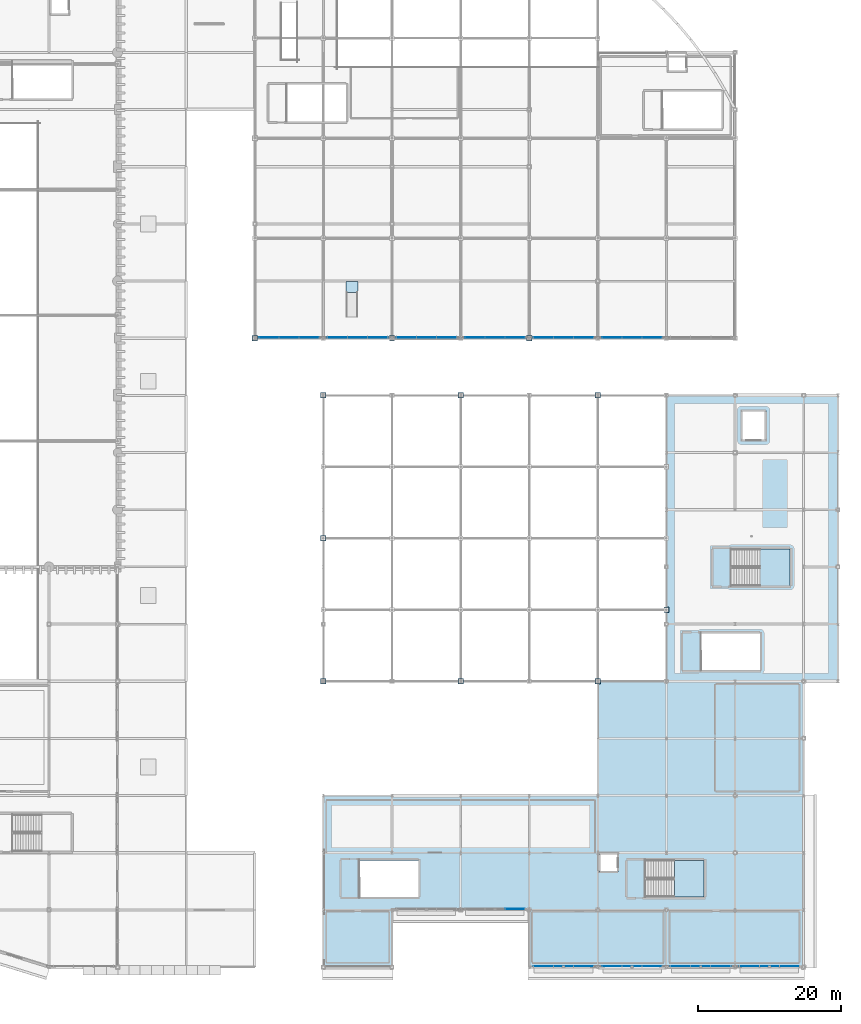
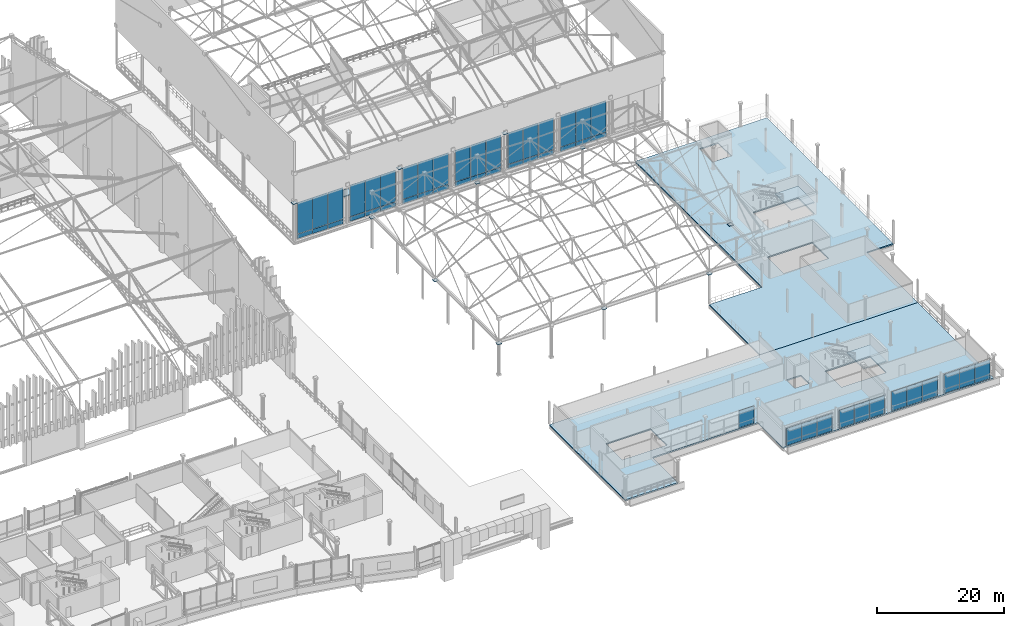
# One storey, part 147 of 193: 60 plates, 5 slabs, 13 elements without a shape of their own.
"""IFC4 building model written with IfcOpenShell, lengths in metres."""

from ifc_helpers import new_model, si_unit, direction, frame, origin, origin_2d, place, context, subcontext, project, spatial, polyline, rectangle, outline, extrude, material, layer, layer_set, type_object, element, aggregate, save


model = new_model("IFC4")

# Units and contexts
model_context = context("Model", 3, precision=1e-05, world=origin(), true_north=direction((0.0, 1.0)))
body_context = subcontext(model_context, "Body", "Model", "MODEL_VIEW")
ifc_project = project(units=[si_unit("LENGTHUNIT", "METRE"), si_unit("AREAUNIT", "SQUARE_METRE"), si_unit("VOLUMEUNIT", "CUBIC_METRE"), si_unit("PLANEANGLEUNIT", "RADIAN"), si_unit("MASSUNIT", "GRAM", prefix="KILO")], contexts=[model_context])

# Site, building, storey
site_placement = place(None, origin())
site = spatial("IfcSite", under=ifc_project, at=site_placement, CompositionType="ELEMENT")
building_placement = place(site_placement, origin())
building = spatial("IfcBuilding", under=site, at=building_placement, Name="Danafjord Basin Convention Centre", CompositionType="ELEMENT")
storey_placement = place(building_placement, frame((0.0, 0.0, 11.39990234375)))
storey = spatial("IfcBuildingStorey", under=building, at=storey_placement, Name="L02", CompositionType="ELEMENT", Elevation=11.39990234375)

# Plates
ifc_material_1 = material(Name="Steel S355", Category="steel")
ifc_layer_1 = layer(ifc_material_1, 0.06494140625)
ifc_layer_set_1 = layer_set([ifc_layer_1], Name="Steel S355")
plate_type_1 = type_object("IfcPlateType", Name="PLT-BP-65", PredefinedType="SHEET", material=ifc_layer_set_1)
for number, where, z_axis, x_axis, name in (
    (1, (134.39990234375, 88.0, 7.267578125), (0.0, 0.0, 1.0), (1.0, 0.0, 0.0), "V2 space-frame ring bearing plate"),
    (2, (153.60009765625, 88.0, 7.267578125), (0.0, 0.0, 1.0), (1.0, 0.0, 0.0), "V2 space-frame ring bearing plate"),
    (3, (172.800048828125, 88.0, 7.267578125), (0.0, 0.0, 1.0), (1.0, 0.0, 0.0), "V2 space-frame ring bearing plate"),
    (4, (144.0, 40.0, 5.967529296875), (0.0, 0.0, 1.0), (1.0, 0.0, 0.0), "V3 space-frame ring bearing plate"),
    (5, (144.0, 60.0, 5.967529296875), (0.0, 0.0, 1.0), (1.0, 0.0, 0.0), "V3 space-frame ring bearing plate"),
    (6, (144.0, 80.0, 5.967529296875), (0.0, 0.0, 1.0), (1.0, 0.0, 0.0), "V3 space-frame ring bearing plate"),
    (7, (163.199951171875, 40.0, 5.967529296875), (0.0, 0.0, 1.0), (1.0, 0.0, 0.0), "V3 space-frame ring bearing plate"),
    (8, (163.199951171875, 80.0, 5.967529296875), (0.0, 0.0, 1.0), (1.0, 0.0, 0.0), "V3 space-frame ring bearing plate"),
    (9, (182.39990234375, 40.0, 5.967529296875), (0.0, 0.0, 1.0), (1.0, 0.0, 0.0), "V3 space-frame ring bearing plate"),
    (10, (182.39990234375, 80.0, 5.967529296875), (0.0, 0.0, 1.0), (1.0, 0.0, 0.0), "V3 space-frame ring bearing plate"),
    (11, (192.0, 50.0, 5.967529296875), (0.0, 0.0, 1.0), (1.0, 0.0, 0.0), "V3 space-frame ring bearing plate"),
):
    element("IfcPlate", number, at=place(storey_placement, frame(where, z_axis=z_axis, x_axis=x_axis)), inside=storey, type_object=plate_type_1, Name=name, PredefinedType="SHEET", context=body_context, shape_type="SweptSolid", body=[
        extrude(rectangle(XDim=0.75, YDim=0.75, at=origin_2d()), origin(), (0.0, 0.0, 1.0), 0.06494140625),
    ])

# Curtain wall, plates
ifc_material_2 = material(Name="Anodised aluminium and triple glazing", Category="aluminium")
curtain_wall_type_1 = type_object("IfcCurtainWallType", Name="CW-CW-DRUM", PredefinedType="NOTDEFINED", material=ifc_material_2)
curtain_wall_1_placement = place(storey_placement, origin())
curtain_wall_1 = element("IfcCurtainWall", 12, at=curtain_wall_1_placement, inside=storey, type_object=curtain_wall_type_1, Name="L02 CW-DRUM unitised curtain wall bay 122", PredefinedType="NOTDEFINED")
ifc_material_3 = material(Name="Triple low-E insulated glazing", Category="glass")
ifc_layer_2 = layer(ifc_material_3, 0.0380859375)
ifc_layer_set_2 = layer_set([ifc_layer_2], Name="Triple low-E insulated glazing")
plate_type_2 = type_object("IfcPlateType", Name="PLT-GP-38", PredefinedType="CURTAIN_PANEL", material=ifc_layer_set_2)
plate_1_placement = place(storey_placement, frame((136.39990234375, 88.1201171875, 0.97802734375), z_axis=(0.0, 0.0, 1.0), x_axis=(1.0, 0.0, 0.0)))
plate_1 = element("IfcPlate", 13, at=plate_1_placement, type_object=plate_type_2, Name="CW-L02-122 vision glazing unit 1", PredefinedType="CURTAIN_PANEL", context=body_context, shape_type="SweptSolid", body=[
    extrude(rectangle(XDim=2.743896484375, YDim=0.0380859375, at=origin_2d()), origin(), (0.0, 0.0, 1.0), 6.083984375),
])
plate_2_placement = place(storey_placement, frame((139.199951171875, 88.1201171875, 0.97802734375), z_axis=(0.0, 0.0, 1.0), x_axis=(1.0, 0.0, 0.0)))
plate_2 = element("IfcPlate", 14, at=plate_2_placement, type_object=plate_type_2, Name="CW-L02-122 vision glazing unit 2", PredefinedType="CURTAIN_PANEL", context=body_context, shape_type="SweptSolid", body=[
    extrude(rectangle(XDim=2.743896484375, YDim=0.0380859375, at=origin_2d()), origin(), (0.0, 0.0, 1.0), 6.083984375),
])
plate_3_placement = place(storey_placement, frame((142.0, 88.1201171875, 0.97802734375), z_axis=(0.0, 0.0, 1.0), x_axis=(1.0, 0.0, 0.0)))
plate_3 = element("IfcPlate", 15, at=plate_3_placement, type_object=plate_type_2, Name="CW-L02-122 vision glazing unit 3", PredefinedType="CURTAIN_PANEL", context=body_context, shape_type="SweptSolid", body=[
    extrude(rectangle(XDim=2.743896484375, YDim=0.0380859375, at=origin_2d()), origin(), (0.0, 0.0, 1.0), 6.083984375),
])

curtain_wall_2_placement = place(storey_placement, origin())
curtain_wall_2 = element("IfcCurtainWall", 16, at=curtain_wall_2_placement, inside=storey, type_object=curtain_wall_type_1, Name="L02 CW-DRUM unitised curtain wall bay 124", PredefinedType="NOTDEFINED")
plate_4_placement = place(storey_placement, frame((155.60009765625, 88.1201171875, 0.97802734375), z_axis=(0.0, 0.0, 1.0), x_axis=(1.0, 0.0, 0.0)))
plate_4 = element("IfcPlate", 17, at=plate_4_placement, type_object=plate_type_2, Name="CW-L02-124 vision glazing unit 1", PredefinedType="CURTAIN_PANEL", context=body_context, shape_type="SweptSolid", body=[
    extrude(rectangle(XDim=2.743896484375, YDim=0.0380859375, at=origin_2d()), origin(), (0.0, 0.0, 1.0), 6.083984375),
])
plate_5_placement = place(storey_placement, frame((158.39990234375, 88.1201171875, 0.97802734375), z_axis=(0.0, 0.0, 1.0), x_axis=(1.0, 0.0, 0.0)))
plate_5 = element("IfcPlate", 18, at=plate_5_placement, type_object=plate_type_2, Name="CW-L02-124 vision glazing unit 2", PredefinedType="CURTAIN_PANEL", context=body_context, shape_type="SweptSolid", body=[
    extrude(rectangle(XDim=2.743896484375, YDim=0.0380859375, at=origin_2d()), origin(), (0.0, 0.0, 1.0), 6.083984375),
])
plate_6_placement = place(storey_placement, frame((161.199951171875, 88.1201171875, 0.97802734375), z_axis=(0.0, 0.0, 1.0), x_axis=(1.0, 0.0, 0.0)))
plate_6 = element("IfcPlate", 19, at=plate_6_placement, type_object=plate_type_2, Name="CW-L02-124 vision glazing unit 3", PredefinedType="CURTAIN_PANEL", context=body_context, shape_type="SweptSolid", body=[
    extrude(rectangle(XDim=2.743896484375, YDim=0.0380859375, at=origin_2d()), origin(), (0.0, 0.0, 1.0), 6.083984375),
])

curtain_wall_3_placement = place(storey_placement, origin())
curtain_wall_3 = element("IfcCurtainWall", 20, at=curtain_wall_3_placement, inside=storey, type_object=curtain_wall_type_1, Name="L02 CW-DRUM unitised curtain wall bay 126", PredefinedType="NOTDEFINED")
plate_7_placement = place(storey_placement, frame((174.800048828125, 88.1201171875, 0.97802734375), z_axis=(0.0, 0.0, 1.0), x_axis=(1.0, 0.0, 0.0)))
plate_7 = element("IfcPlate", 21, at=plate_7_placement, type_object=plate_type_2, Name="CW-L02-126 vision glazing unit 1", PredefinedType="CURTAIN_PANEL", context=body_context, shape_type="SweptSolid", body=[
    extrude(rectangle(XDim=2.743896484375, YDim=0.0380859375, at=origin_2d()), origin(), (0.0, 0.0, 1.0), 6.083984375),
])
plate_8_placement = place(storey_placement, frame((177.60009765625, 88.1201171875, 0.97802734375), z_axis=(0.0, 0.0, 1.0), x_axis=(1.0, 0.0, 0.0)))
plate_8 = element("IfcPlate", 22, at=plate_8_placement, type_object=plate_type_2, Name="CW-L02-126 vision glazing unit 2", PredefinedType="CURTAIN_PANEL", context=body_context, shape_type="SweptSolid", body=[
    extrude(rectangle(XDim=2.743896484375, YDim=0.0380859375, at=origin_2d()), origin(), (0.0, 0.0, 1.0), 6.083984375),
])
plate_9_placement = place(storey_placement, frame((180.39990234375, 88.1201171875, 0.97802734375), z_axis=(0.0, 0.0, 1.0), x_axis=(1.0, 0.0, 0.0)))
plate_9 = element("IfcPlate", 23, at=plate_9_placement, type_object=plate_type_2, Name="CW-L02-126 vision glazing unit 3", PredefinedType="CURTAIN_PANEL", context=body_context, shape_type="SweptSolid", body=[
    extrude(rectangle(XDim=2.743896484375, YDim=0.0380859375, at=origin_2d()), origin(), (0.0, 0.0, 1.0), 6.083984375),
])

curtain_wall_type_2 = type_object("IfcCurtainWallType", Name="CW-CW-HARB", PredefinedType="NOTDEFINED", material=ifc_material_2)
curtain_wall_4_placement = place(storey_placement, origin())
curtain_wall_4 = element("IfcCurtainWall", 24, at=curtain_wall_4_placement, inside=storey, type_object=curtain_wall_type_2, Name="L02 CW-HARB unitised curtain wall bay 136", PredefinedType="NOTDEFINED")
plate_10_placement = place(storey_placement, frame((184.39990234375, 0.1201171875, 0.087890625), z_axis=(0.0, 0.0, 1.0), x_axis=(1.0, 0.0, 0.0)))
plate_10 = element("IfcPlate", 25, at=plate_10_placement, type_object=plate_type_2, Name="CW-L02-136 vision glazing unit 1", PredefinedType="CURTAIN_PANEL", context=body_context, shape_type="SweptSolid", body=[
    extrude(rectangle(XDim=2.743896484375, YDim=0.0380859375, at=origin_2d()), origin(), (0.0, 0.0, 1.0), 3.429931640625),
])
plate_11_placement = place(storey_placement, frame((187.199951171875, 0.1201171875, 0.087890625), z_axis=(0.0, 0.0, 1.0), x_axis=(1.0, 0.0, 0.0)))
plate_11 = element("IfcPlate", 26, at=plate_11_placement, type_object=plate_type_2, Name="CW-L02-136 vision glazing unit 2", PredefinedType="CURTAIN_PANEL", context=body_context, shape_type="SweptSolid", body=[
    extrude(rectangle(XDim=2.743896484375, YDim=0.0380859375, at=origin_2d()), origin(), (0.0, 0.0, 1.0), 3.429931640625),
])
plate_12_placement = place(storey_placement, frame((190.0, 0.1201171875, 0.087890625), z_axis=(0.0, 0.0, 1.0), x_axis=(1.0, 0.0, 0.0)))
plate_12 = element("IfcPlate", 27, at=plate_12_placement, type_object=plate_type_2, Name="CW-L02-136 vision glazing unit 3", PredefinedType="CURTAIN_PANEL", context=body_context, shape_type="SweptSolid", body=[
    extrude(rectangle(XDim=2.743896484375, YDim=0.0380859375, at=origin_2d()), origin(), (0.0, 0.0, 1.0), 3.429931640625),
])
aggregate(curtain_wall_4, [plate_10, plate_11, plate_12])

curtain_wall_5_placement = place(storey_placement, origin())
curtain_wall_5 = element("IfcCurtainWall", 28, at=curtain_wall_5_placement, inside=storey, type_object=curtain_wall_type_2, Name="L02 CW-HARB unitised curtain wall bay 138", PredefinedType="NOTDEFINED")
plate_13_placement = place(storey_placement, frame((203.60009765625, 0.1201171875, 0.088134765625), z_axis=(0.0, 0.0, 1.0), x_axis=(1.0, 0.0, 0.0)))
plate_13 = element("IfcPlate", 29, at=plate_13_placement, type_object=plate_type_2, Name="CW-L02-138 vision glazing unit 1", PredefinedType="CURTAIN_PANEL", context=body_context, shape_type="SweptSolid", body=[
    extrude(rectangle(XDim=2.743896484375, YDim=0.0380859375, at=origin_2d()), origin(), (0.0, 0.0, 1.0), 3.6298828125),
])
plate_14_placement = place(storey_placement, frame((206.39990234375, 0.1201171875, 0.088134765625), z_axis=(0.0, 0.0, 1.0), x_axis=(1.0, 0.0, 0.0)))
plate_14 = element("IfcPlate", 30, at=plate_14_placement, type_object=plate_type_2, Name="CW-L02-138 vision glazing unit 2", PredefinedType="CURTAIN_PANEL", context=body_context, shape_type="SweptSolid", body=[
    extrude(rectangle(XDim=2.743896484375, YDim=0.0380859375, at=origin_2d()), origin(), (0.0, 0.0, 1.0), 3.6298828125),
])
plate_15_placement = place(storey_placement, frame((209.199951171875, 0.1201171875, 0.088134765625), z_axis=(0.0, 0.0, 1.0), x_axis=(1.0, 0.0, 0.0)))
plate_15 = element("IfcPlate", 31, at=plate_15_placement, type_object=plate_type_2, Name="CW-L02-138 vision glazing unit 3", PredefinedType="CURTAIN_PANEL", context=body_context, shape_type="SweptSolid", body=[
    extrude(rectangle(XDim=2.743896484375, YDim=0.0380859375, at=origin_2d()), origin(), (0.0, 0.0, 1.0), 3.6298828125),
])
aggregate(curtain_wall_5, [plate_13, plate_14, plate_15])

# Curtain wall, plate
curtain_wall_6_placement = place(storey_placement, origin())
curtain_wall_6 = element("IfcCurtainWall", 32, at=curtain_wall_6_placement, inside=storey, type_object=curtain_wall_type_2, Name="L02 CW-HARB unitised curtain wall bay 148", PredefinedType="NOTDEFINED")
plate_16_placement = place(storey_placement, frame((170.800048828125, 8.1201171875, 0.087890625), z_axis=(0.0, 0.0, 1.0), x_axis=(1.0, 0.0, 0.0)))
plate_16 = element("IfcPlate", 33, at=plate_16_placement, type_object=plate_type_2, Name="CW-L02-148 vision glazing unit 3", PredefinedType="CURTAIN_PANEL", context=body_context, shape_type="SweptSolid", body=[
    extrude(rectangle(XDim=2.743896484375, YDim=0.0380859375, at=origin_2d()), origin(), (0.0, 0.0, 1.0), 3.280029296875),
])
aggregate(curtain_wall_6, [plate_16])

# Curtain wall, plates
curtain_wall_7_placement = place(storey_placement, origin())
curtain_wall_7 = element("IfcCurtainWall", 34, at=curtain_wall_7_placement, inside=storey, type_object=curtain_wall_type_1, Name="L02 CW-DRUM unitised curtain wall bay 123", PredefinedType="NOTDEFINED")
ifc_layer_3 = layer(ifc_material_3, 0.048095703125)
ifc_layer_set_3 = layer_set([ifc_layer_3], Name="Triple low-E insulated glazing")
plate_type_3 = type_object("IfcPlateType", Name="PLT-GP-48", PredefinedType="CURTAIN_PANEL", material=ifc_layer_set_3)
plate_17_placement = place(storey_placement, frame((146.0, 88.1201171875, 0.97802734375), z_axis=(0.0, 0.0, 1.0), x_axis=(1.0, 0.0, 0.0)))
plate_17 = element("IfcPlate", 35, at=plate_17_placement, type_object=plate_type_3, Name="CW-L02-123 vision glazing unit 1", PredefinedType="CURTAIN_PANEL", context=body_context, shape_type="SweptSolid", body=[
    extrude(rectangle(XDim=2.743896484375, YDim=0.048095703125, at=origin_2d()), origin(), (0.0, 0.0, 1.0), 6.083984375),
])
plate_18_placement = place(storey_placement, frame((148.800048828125, 88.1201171875, 0.97802734375), z_axis=(0.0, 0.0, 1.0), x_axis=(1.0, 0.0, 0.0)))
plate_18 = element("IfcPlate", 36, at=plate_18_placement, type_object=plate_type_3, Name="CW-L02-123 vision glazing unit 2", PredefinedType="CURTAIN_PANEL", context=body_context, shape_type="SweptSolid", body=[
    extrude(rectangle(XDim=2.743896484375, YDim=0.048095703125, at=origin_2d()), origin(), (0.0, 0.0, 1.0), 6.083984375),
])
plate_19_placement = place(storey_placement, frame((151.60009765625, 88.1201171875, 0.97802734375), z_axis=(0.0, 0.0, 1.0), x_axis=(1.0, 0.0, 0.0)))
plate_19 = element("IfcPlate", 37, at=plate_19_placement, type_object=plate_type_3, Name="CW-L02-123 vision glazing unit 3", PredefinedType="CURTAIN_PANEL", context=body_context, shape_type="SweptSolid", body=[
    extrude(rectangle(XDim=2.743896484375, YDim=0.048095703125, at=origin_2d()), origin(), (0.0, 0.0, 1.0), 6.083984375),
])

curtain_wall_8_placement = place(storey_placement, origin())
curtain_wall_8 = element("IfcCurtainWall", 38, at=curtain_wall_8_placement, inside=storey, type_object=curtain_wall_type_1, Name="L02 CW-DRUM unitised curtain wall bay 125", PredefinedType="NOTDEFINED")
plate_20_placement = place(storey_placement, frame((165.199951171875, 88.1201171875, 0.97802734375), z_axis=(0.0, 0.0, 1.0), x_axis=(1.0, 0.0, 0.0)))
plate_20 = element("IfcPlate", 39, at=plate_20_placement, type_object=plate_type_3, Name="CW-L02-125 vision glazing unit 1", PredefinedType="CURTAIN_PANEL", context=body_context, shape_type="SweptSolid", body=[
    extrude(rectangle(XDim=2.743896484375, YDim=0.048095703125, at=origin_2d()), origin(), (0.0, 0.0, 1.0), 6.083984375),
])
plate_21_placement = place(storey_placement, frame((168.0, 88.1201171875, 0.97802734375), z_axis=(0.0, 0.0, 1.0), x_axis=(1.0, 0.0, 0.0)))
plate_21 = element("IfcPlate", 40, at=plate_21_placement, type_object=plate_type_3, Name="CW-L02-125 vision glazing unit 2", PredefinedType="CURTAIN_PANEL", context=body_context, shape_type="SweptSolid", body=[
    extrude(rectangle(XDim=2.743896484375, YDim=0.048095703125, at=origin_2d()), origin(), (0.0, 0.0, 1.0), 6.083984375),
])
plate_22_placement = place(storey_placement, frame((170.800048828125, 88.1201171875, 0.97802734375), z_axis=(0.0, 0.0, 1.0), x_axis=(1.0, 0.0, 0.0)))
plate_22 = element("IfcPlate", 41, at=plate_22_placement, type_object=plate_type_3, Name="CW-L02-125 vision glazing unit 3", PredefinedType="CURTAIN_PANEL", context=body_context, shape_type="SweptSolid", body=[
    extrude(rectangle(XDim=2.743896484375, YDim=0.048095703125, at=origin_2d()), origin(), (0.0, 0.0, 1.0), 6.083984375),
])

curtain_wall_9_placement = place(storey_placement, origin())
curtain_wall_9 = element("IfcCurtainWall", 42, at=curtain_wall_9_placement, inside=storey, type_object=curtain_wall_type_1, Name="L02 CW-DRUM unitised curtain wall bay 127", PredefinedType="NOTDEFINED")
plate_23_placement = place(storey_placement, frame((184.39990234375, 88.1201171875, 0.97802734375), z_axis=(0.0, 0.0, 1.0), x_axis=(1.0, 0.0, 0.0)))
plate_23 = element("IfcPlate", 43, at=plate_23_placement, type_object=plate_type_3, Name="CW-L02-127 vision glazing unit 1", PredefinedType="CURTAIN_PANEL", context=body_context, shape_type="SweptSolid", body=[
    extrude(rectangle(XDim=2.743896484375, YDim=0.048095703125, at=origin_2d()), origin(), (0.0, 0.0, 1.0), 6.083984375),
])
plate_24_placement = place(storey_placement, frame((187.199951171875, 88.1201171875, 0.97802734375), z_axis=(0.0, 0.0, 1.0), x_axis=(1.0, 0.0, 0.0)))
plate_24 = element("IfcPlate", 44, at=plate_24_placement, type_object=plate_type_3, Name="CW-L02-127 vision glazing unit 2", PredefinedType="CURTAIN_PANEL", context=body_context, shape_type="SweptSolid", body=[
    extrude(rectangle(XDim=2.743896484375, YDim=0.048095703125, at=origin_2d()), origin(), (0.0, 0.0, 1.0), 6.083984375),
])
plate_25_placement = place(storey_placement, frame((190.0, 88.1201171875, 0.97802734375), z_axis=(0.0, 0.0, 1.0), x_axis=(1.0, 0.0, 0.0)))
plate_25 = element("IfcPlate", 45, at=plate_25_placement, type_object=plate_type_3, Name="CW-L02-127 vision glazing unit 3", PredefinedType="CURTAIN_PANEL", context=body_context, shape_type="SweptSolid", body=[
    extrude(rectangle(XDim=2.743896484375, YDim=0.048095703125, at=origin_2d()), origin(), (0.0, 0.0, 1.0), 6.083984375),
])

curtain_wall_10_placement = place(storey_placement, origin())
curtain_wall_10 = element("IfcCurtainWall", 46, at=curtain_wall_10_placement, inside=storey, type_object=curtain_wall_type_2, Name="L02 CW-HARB unitised curtain wall bay 135", PredefinedType="NOTDEFINED")
plate_26_placement = place(storey_placement, frame((174.800048828125, 0.1201171875, 0.087890625), z_axis=(0.0, 0.0, 1.0), x_axis=(1.0, 0.0, 0.0)))
plate_26 = element("IfcPlate", 47, at=plate_26_placement, type_object=plate_type_3, Name="CW-L02-135 vision glazing unit 1", PredefinedType="CURTAIN_PANEL", context=body_context, shape_type="SweptSolid", body=[
    extrude(rectangle(XDim=2.743896484375, YDim=0.048095703125, at=origin_2d()), origin(), (0.0, 0.0, 1.0), 3.280029296875),
])
plate_27_placement = place(storey_placement, frame((177.60009765625, 0.1201171875, 0.087890625), z_axis=(0.0, 0.0, 1.0), x_axis=(1.0, 0.0, 0.0)))
plate_27 = element("IfcPlate", 48, at=plate_27_placement, type_object=plate_type_3, Name="CW-L02-135 vision glazing unit 2", PredefinedType="CURTAIN_PANEL", context=body_context, shape_type="SweptSolid", body=[
    extrude(rectangle(XDim=2.743896484375, YDim=0.048095703125, at=origin_2d()), origin(), (0.0, 0.0, 1.0), 3.280029296875),
])
plate_28_placement = place(storey_placement, frame((180.39990234375, 0.1201171875, 0.087890625), z_axis=(0.0, 0.0, 1.0), x_axis=(1.0, 0.0, 0.0)))
plate_28 = element("IfcPlate", 49, at=plate_28_placement, type_object=plate_type_3, Name="CW-L02-135 vision glazing unit 3", PredefinedType="CURTAIN_PANEL", context=body_context, shape_type="SweptSolid", body=[
    extrude(rectangle(XDim=2.743896484375, YDim=0.048095703125, at=origin_2d()), origin(), (0.0, 0.0, 1.0), 3.280029296875),
])
aggregate(curtain_wall_10, [plate_26, plate_27, plate_28])

curtain_wall_11_placement = place(storey_placement, origin())
curtain_wall_11 = element("IfcCurtainWall", 50, at=curtain_wall_11_placement, inside=storey, type_object=curtain_wall_type_2, Name="L02 CW-HARB unitised curtain wall bay 137", PredefinedType="NOTDEFINED")
plate_29_placement = place(storey_placement, frame((194.0, 0.1201171875, 0.087890625), z_axis=(0.0, 0.0, 1.0), x_axis=(1.0, 0.0, 0.0)))
plate_29 = element("IfcPlate", 51, at=plate_29_placement, type_object=plate_type_3, Name="CW-L02-137 vision glazing unit 1", PredefinedType="CURTAIN_PANEL", context=body_context, shape_type="SweptSolid", body=[
    extrude(rectangle(XDim=2.743896484375, YDim=0.048095703125, at=origin_2d()), origin(), (0.0, 0.0, 1.0), 3.679931640625),
])
plate_30_placement = place(storey_placement, frame((196.800048828125, 0.1201171875, 0.087890625), z_axis=(0.0, 0.0, 1.0), x_axis=(1.0, 0.0, 0.0)))
plate_30 = element("IfcPlate", 52, at=plate_30_placement, type_object=plate_type_3, Name="CW-L02-137 vision glazing unit 2", PredefinedType="CURTAIN_PANEL", context=body_context, shape_type="SweptSolid", body=[
    extrude(rectangle(XDim=2.743896484375, YDim=0.048095703125, at=origin_2d()), origin(), (0.0, 0.0, 1.0), 3.679931640625),
])
plate_31_placement = place(storey_placement, frame((199.60009765625, 0.1201171875, 0.087890625), z_axis=(0.0, 0.0, 1.0), x_axis=(1.0, 0.0, 0.0)))
plate_31 = element("IfcPlate", 53, at=plate_31_placement, type_object=plate_type_3, Name="CW-L02-137 vision glazing unit 3", PredefinedType="CURTAIN_PANEL", context=body_context, shape_type="SweptSolid", body=[
    extrude(rectangle(XDim=2.743896484375, YDim=0.048095703125, at=origin_2d()), origin(), (0.0, 0.0, 1.0), 3.679931640625),
])
aggregate(curtain_wall_11, [plate_29, plate_30, plate_31])

# Plate
ifc_material_4 = material(Name="Insulated aluminium spandrel cassette", Category="aluminium")
ifc_layer_4 = layer(ifc_material_4, 0.070068359375)
ifc_layer_set_4 = layer_set([ifc_layer_4], Name="Insulated aluminium spandrel cassette")
plate_type_4 = type_object("IfcPlateType", Name="PLT-SPN-70", PredefinedType="CURTAIN_PANEL", material=ifc_layer_set_4)
plate_32_placement = place(storey_placement, frame((136.39990234375, 88.1201171875, 0.088134765625), z_axis=(0.0, 0.0, 1.0), x_axis=(1.0, 0.0, 0.0)))
plate_32 = element("IfcPlate", 54, at=plate_32_placement, type_object=plate_type_4, Name="CW-L02-122 spandrel cassette 1", PredefinedType="CURTAIN_PANEL", context=body_context, shape_type="SweptSolid", body=[
    extrude(rectangle(XDim=2.743896484375, YDim=0.070068359375, at=origin_2d()), origin(), (0.0, 0.0, 1.0), 0.833984375),
])

plate_33_placement = place(storey_placement, frame((139.199951171875, 88.1201171875, 0.088134765625), z_axis=(0.0, 0.0, 1.0), x_axis=(1.0, 0.0, 0.0)))
plate_33 = element("IfcPlate", 55, at=plate_33_placement, type_object=plate_type_4, Name="CW-L02-122 spandrel cassette 2", PredefinedType="CURTAIN_PANEL", context=body_context, shape_type="SweptSolid", body=[
    extrude(rectangle(XDim=2.743896484375, YDim=0.070068359375, at=origin_2d()), origin(), (0.0, 0.0, 1.0), 0.833984375),
])

plate_34_placement = place(storey_placement, frame((142.0, 88.1201171875, 0.088134765625), z_axis=(0.0, 0.0, 1.0), x_axis=(1.0, 0.0, 0.0)))
plate_34 = element("IfcPlate", 56, at=plate_34_placement, type_object=plate_type_4, Name="CW-L02-122 spandrel cassette 3", PredefinedType="CURTAIN_PANEL", context=body_context, shape_type="SweptSolid", body=[
    extrude(rectangle(XDim=2.743896484375, YDim=0.070068359375, at=origin_2d()), origin(), (0.0, 0.0, 1.0), 0.833984375),
])

aggregate(curtain_wall_1, [plate_32, plate_1, plate_33, plate_2, plate_34, plate_3])

plate_35_placement = place(storey_placement, frame((155.60009765625, 88.1201171875, 0.088134765625), z_axis=(0.0, 0.0, 1.0), x_axis=(1.0, 0.0, 0.0)))
plate_35 = element("IfcPlate", 57, at=plate_35_placement, type_object=plate_type_4, Name="CW-L02-124 spandrel cassette 1", PredefinedType="CURTAIN_PANEL", context=body_context, shape_type="SweptSolid", body=[
    extrude(rectangle(XDim=2.743896484375, YDim=0.070068359375, at=origin_2d()), origin(), (0.0, 0.0, 1.0), 0.833984375),
])

plate_36_placement = place(storey_placement, frame((158.39990234375, 88.1201171875, 0.088134765625), z_axis=(0.0, 0.0, 1.0), x_axis=(1.0, 0.0, 0.0)))
plate_36 = element("IfcPlate", 58, at=plate_36_placement, type_object=plate_type_4, Name="CW-L02-124 spandrel cassette 2", PredefinedType="CURTAIN_PANEL", context=body_context, shape_type="SweptSolid", body=[
    extrude(rectangle(XDim=2.743896484375, YDim=0.070068359375, at=origin_2d()), origin(), (0.0, 0.0, 1.0), 0.833984375),
])

plate_37_placement = place(storey_placement, frame((161.199951171875, 88.1201171875, 0.088134765625), z_axis=(0.0, 0.0, 1.0), x_axis=(1.0, 0.0, 0.0)))
plate_37 = element("IfcPlate", 59, at=plate_37_placement, type_object=plate_type_4, Name="CW-L02-124 spandrel cassette 3", PredefinedType="CURTAIN_PANEL", context=body_context, shape_type="SweptSolid", body=[
    extrude(rectangle(XDim=2.743896484375, YDim=0.070068359375, at=origin_2d()), origin(), (0.0, 0.0, 1.0), 0.833984375),
])

aggregate(curtain_wall_2, [plate_35, plate_4, plate_36, plate_5, plate_37, plate_6])

plate_38_placement = place(storey_placement, frame((174.800048828125, 88.1201171875, 0.088134765625), z_axis=(0.0, 0.0, 1.0), x_axis=(1.0, 0.0, 0.0)))
plate_38 = element("IfcPlate", 60, at=plate_38_placement, type_object=plate_type_4, Name="CW-L02-126 spandrel cassette 1", PredefinedType="CURTAIN_PANEL", context=body_context, shape_type="SweptSolid", body=[
    extrude(rectangle(XDim=2.743896484375, YDim=0.070068359375, at=origin_2d()), origin(), (0.0, 0.0, 1.0), 0.833984375),
])

plate_39_placement = place(storey_placement, frame((177.60009765625, 88.1201171875, 0.088134765625), z_axis=(0.0, 0.0, 1.0), x_axis=(1.0, 0.0, 0.0)))
plate_39 = element("IfcPlate", 61, at=plate_39_placement, type_object=plate_type_4, Name="CW-L02-126 spandrel cassette 2", PredefinedType="CURTAIN_PANEL", context=body_context, shape_type="SweptSolid", body=[
    extrude(rectangle(XDim=2.743896484375, YDim=0.070068359375, at=origin_2d()), origin(), (0.0, 0.0, 1.0), 0.833984375),
])

plate_40_placement = place(storey_placement, frame((180.39990234375, 88.1201171875, 0.088134765625), z_axis=(0.0, 0.0, 1.0), x_axis=(1.0, 0.0, 0.0)))
plate_40 = element("IfcPlate", 62, at=plate_40_placement, type_object=plate_type_4, Name="CW-L02-126 spandrel cassette 3", PredefinedType="CURTAIN_PANEL", context=body_context, shape_type="SweptSolid", body=[
    extrude(rectangle(XDim=2.743896484375, YDim=0.070068359375, at=origin_2d()), origin(), (0.0, 0.0, 1.0), 0.833984375),
])

aggregate(curtain_wall_3, [plate_38, plate_7, plate_39, plate_8, plate_40, plate_9])

ifc_layer_5 = layer(ifc_material_4, 0.090087890625)
ifc_layer_set_5 = layer_set([ifc_layer_5], Name="Insulated aluminium spandrel cassette")
plate_type_5 = type_object("IfcPlateType", Name="PLT-SPN-90", PredefinedType="CURTAIN_PANEL", material=ifc_layer_set_5)
plate_41_placement = place(storey_placement, frame((146.0, 88.1201171875, 0.088134765625), z_axis=(0.0, 0.0, 1.0), x_axis=(1.0, 0.0, 0.0)))
plate_41 = element("IfcPlate", 63, at=plate_41_placement, type_object=plate_type_5, Name="CW-L02-123 spandrel cassette 1", PredefinedType="CURTAIN_PANEL", context=body_context, shape_type="SweptSolid", body=[
    extrude(rectangle(XDim=2.743896484375, YDim=0.090087890625, at=origin_2d()), origin(), (0.0, 0.0, 1.0), 0.833984375),
])

plate_42_placement = place(storey_placement, frame((148.800048828125, 88.1201171875, 0.088134765625), z_axis=(0.0, 0.0, 1.0), x_axis=(1.0, 0.0, 0.0)))
plate_42 = element("IfcPlate", 64, at=plate_42_placement, type_object=plate_type_5, Name="CW-L02-123 spandrel cassette 2", PredefinedType="CURTAIN_PANEL", context=body_context, shape_type="SweptSolid", body=[
    extrude(rectangle(XDim=2.743896484375, YDim=0.090087890625, at=origin_2d()), origin(), (0.0, 0.0, 1.0), 0.833984375),
])

plate_43_placement = place(storey_placement, frame((151.60009765625, 88.1201171875, 0.088134765625), z_axis=(0.0, 0.0, 1.0), x_axis=(1.0, 0.0, 0.0)))
plate_43 = element("IfcPlate", 65, at=plate_43_placement, type_object=plate_type_5, Name="CW-L02-123 spandrel cassette 3", PredefinedType="CURTAIN_PANEL", context=body_context, shape_type="SweptSolid", body=[
    extrude(rectangle(XDim=2.743896484375, YDim=0.090087890625, at=origin_2d()), origin(), (0.0, 0.0, 1.0), 0.833984375),
])

aggregate(curtain_wall_7, [plate_41, plate_17, plate_42, plate_18, plate_43, plate_19])

plate_44_placement = place(storey_placement, frame((165.199951171875, 88.1201171875, 0.088134765625), z_axis=(0.0, 0.0, 1.0), x_axis=(1.0, 0.0, 0.0)))
plate_44 = element("IfcPlate", 66, at=plate_44_placement, type_object=plate_type_5, Name="CW-L02-125 spandrel cassette 1", PredefinedType="CURTAIN_PANEL", context=body_context, shape_type="SweptSolid", body=[
    extrude(rectangle(XDim=2.743896484375, YDim=0.090087890625, at=origin_2d()), origin(), (0.0, 0.0, 1.0), 0.833984375),
])

plate_45_placement = place(storey_placement, frame((168.0, 88.1201171875, 0.088134765625), z_axis=(0.0, 0.0, 1.0), x_axis=(1.0, 0.0, 0.0)))
plate_45 = element("IfcPlate", 67, at=plate_45_placement, type_object=plate_type_5, Name="CW-L02-125 spandrel cassette 2", PredefinedType="CURTAIN_PANEL", context=body_context, shape_type="SweptSolid", body=[
    extrude(rectangle(XDim=2.743896484375, YDim=0.090087890625, at=origin_2d()), origin(), (0.0, 0.0, 1.0), 0.833984375),
])

plate_46_placement = place(storey_placement, frame((170.800048828125, 88.1201171875, 0.088134765625), z_axis=(0.0, 0.0, 1.0), x_axis=(1.0, 0.0, 0.0)))
plate_46 = element("IfcPlate", 68, at=plate_46_placement, type_object=plate_type_5, Name="CW-L02-125 spandrel cassette 3", PredefinedType="CURTAIN_PANEL", context=body_context, shape_type="SweptSolid", body=[
    extrude(rectangle(XDim=2.743896484375, YDim=0.090087890625, at=origin_2d()), origin(), (0.0, 0.0, 1.0), 0.833984375),
])

aggregate(curtain_wall_8, [plate_44, plate_20, plate_45, plate_21, plate_46, plate_22])

plate_47_placement = place(storey_placement, frame((184.39990234375, 88.1201171875, 0.088134765625), z_axis=(0.0, 0.0, 1.0), x_axis=(1.0, 0.0, 0.0)))
plate_47 = element("IfcPlate", 69, at=plate_47_placement, type_object=plate_type_5, Name="CW-L02-127 spandrel cassette 1", PredefinedType="CURTAIN_PANEL", context=body_context, shape_type="SweptSolid", body=[
    extrude(rectangle(XDim=2.743896484375, YDim=0.090087890625, at=origin_2d()), origin(), (0.0, 0.0, 1.0), 0.833984375),
])

plate_48_placement = place(storey_placement, frame((187.199951171875, 88.1201171875, 0.088134765625), z_axis=(0.0, 0.0, 1.0), x_axis=(1.0, 0.0, 0.0)))
plate_48 = element("IfcPlate", 70, at=plate_48_placement, type_object=plate_type_5, Name="CW-L02-127 spandrel cassette 2", PredefinedType="CURTAIN_PANEL", context=body_context, shape_type="SweptSolid", body=[
    extrude(rectangle(XDim=2.743896484375, YDim=0.090087890625, at=origin_2d()), origin(), (0.0, 0.0, 1.0), 0.833984375),
])

plate_49_placement = place(storey_placement, frame((190.0, 88.1201171875, 0.088134765625), z_axis=(0.0, 0.0, 1.0), x_axis=(1.0, 0.0, 0.0)))
plate_49 = element("IfcPlate", 71, at=plate_49_placement, type_object=plate_type_5, Name="CW-L02-127 spandrel cassette 3", PredefinedType="CURTAIN_PANEL", context=body_context, shape_type="SweptSolid", body=[
    extrude(rectangle(XDim=2.743896484375, YDim=0.090087890625, at=origin_2d()), origin(), (0.0, 0.0, 1.0), 0.833984375),
])

aggregate(curtain_wall_9, [plate_47, plate_23, plate_48, plate_24, plate_49, plate_25])

# Slabs
ifc_material_5 = material(Name="Concrete C35/45", Category="concrete")
ifc_layer_6 = layer(ifc_material_5, 0.22998046875)
ifc_layer_set_6 = layer_set([ifc_layer_6], Name="Concrete C35/45")
slab_type_1 = type_object("IfcSlabType", Name="SLAB-FS-230", PredefinedType="FLOOR", material=ifc_layer_set_6)
slab_1_placement = place(storey_placement, frame((0.0, 0.0, -0.22998046875)))
element("IfcSlab", 72, at=slab_1_placement, inside=storey, type_object=slab_type_1, Name="L02 FS-230 slab SL-L02-V3E", PredefinedType="FLOOR", context=body_context, shape_type="SweptSolid", body=[
    extrude(outline(polyline([(182.39990234375, 40.0), (192.0, 40.0), (192.0, 80.0), (216.0, 80.0), (216.0, 40.0), (211.199951171875, 40.0), (211.199951171875, 24.0), (182.39990234375, 24.0), (182.39990234375, 40.0)]), holes=[polyline([(201.080078125, 58.5), (201.080078125, 53.360107421875), (209.280029296875, 53.360107421875), (209.280029296875, 58.5), (201.080078125, 58.5)]), polyline([(202.5, 73.699951171875), (205.89990234375, 73.699951171875), (205.89990234375, 77.89990234375), (202.5, 77.89990234375), (202.5, 73.699951171875)]), polyline([(196.8798828125, 41.56005859375), (205.080078125, 41.56005859375), (205.080078125, 46.699951171875), (196.8798828125, 46.699951171875), (196.8798828125, 41.56005859375)])]), origin(), (0.0, 0.0, 1.0), 0.22998046875),
])
slab_2_placement = place(storey_placement, frame((0.0, 0.0, -0.22998046875)))
element("IfcSlab", 73, at=slab_2_placement, inside=storey, type_object=slab_type_1, Name="L02 FS-230 slab SL-L02-V5", PredefinedType="FLOOR", context=body_context, shape_type="SweptSolid", body=[
    extrude(outline(polyline([(144.0, 24.0), (211.199951171875, 24.0), (211.199951171875, 0.0), (172.800048828125, 0.0), (172.800048828125, 8.0), (153.60009765625, 8.0), (153.60009765625, 0.0), (144.0, 0.0), (144.0, 24.0)]), holes=[polyline([(189.080078125, 14.949951171875), (189.080078125, 9.81005859375), (197.280029296875, 9.81005859375), (197.280029296875, 14.949951171875), (189.080078125, 14.949951171875)]), polyline([(182.60009765625, 15.89990234375), (182.60009765625, 13.300048828125), (185.199951171875, 13.300048828125), (185.199951171875, 15.89990234375), (182.60009765625, 15.89990234375)]), polyline([(149.080078125, 9.81005859375), (157.280029296875, 9.81005859375), (157.280029296875, 14.949951171875), (149.080078125, 14.949951171875), (149.080078125, 9.81005859375)])]), origin(), (0.0, 0.0, 1.0), 0.22998046875),
])

# Stair, slab
ifc_material_6 = material(Name="Concrete C40/50", Category="concrete")
stair_type = type_object("IfcStairType", Name="STAIR-STR-C01", PredefinedType="TWO_STRAIGHT_RUN_STAIR", material=ifc_material_6)
stair_1_placement = place(storey_placement, origin())
stair_1 = element("IfcStair", 74, at=stair_1_placement, inside=storey, type_object=stair_type, Name="L02 Ballroom East Core Stair 1", PredefinedType="HALF_TURN_STAIR")
ifc_layer_7 = layer(ifc_material_6, 0.199951171875)
ifc_layer_set_7 = layer_set([ifc_layer_7], Name="Concrete C40/50")
slab_type_2 = type_object("IfcSlabType", Name="SLAB-LAND-200", PredefinedType="LANDING", material=ifc_layer_set_7)
slab_3_placement = place(storey_placement, frame((0.0, 0.0, 2.050048828125)))
slab_3 = element("IfcSlab", 75, at=slab_3_placement, type_object=slab_type_2, Name="ST-13 landing 1", PredefinedType="LANDING", context=body_context, shape_type="SweptSolid", body=[
    extrude(outline(polyline([(205.094970703125, 53.360107421875), (209.280029296875, 53.360107421875), (209.280029296875, 58.5), (205.094970703125, 58.5), (205.094970703125, 53.360107421875)])), origin(), (0.0, 0.0, 1.0), 0.199951171875),
])
aggregate(stair_1, [slab_3])

stair_2_placement = place(storey_placement, origin())
stair_2 = element("IfcStair", 76, at=stair_2_placement, inside=storey, type_object=stair_type, Name="L02 Harbour Pavilion Core Stair 1", PredefinedType="HALF_TURN_STAIR")
slab_4_placement = place(storey_placement, frame((0.0, 0.0, 2.050048828125)))
slab_4 = element("IfcSlab", 77, at=slab_4_placement, type_object=slab_type_2, Name="ST-15 landing 1", PredefinedType="LANDING", context=body_context, shape_type="SweptSolid", body=[
    extrude(outline(polyline([(193.094970703125, 9.81005859375), (197.280029296875, 9.81005859375), (197.280029296875, 14.949951171875), (193.094970703125, 14.949951171875), (193.094970703125, 9.81005859375)])), origin(), (0.0, 0.0, 1.0), 0.199951171875),
])
aggregate(stair_2, [slab_4])

# Slab
slab_5_placement = place(storey_placement, origin())
element("IfcSlab", 78, at=slab_5_placement, inside=storey, type_object=slab_type_2, Name="AR-06 threshold landing", PredefinedType="LANDING", context=body_context, shape_type="SweptSolid", body=[
    extrude(outline(polyline([(147.14990234375, 94.3798828125), (148.85009765625, 94.3798828125), (148.85009765625, 95.949951171875), (147.14990234375, 95.949951171875), (147.14990234375, 94.3798828125)])), origin(), (0.0, 0.0, 1.0), 0.2001953125),
])

save(model, "model.ifc")
